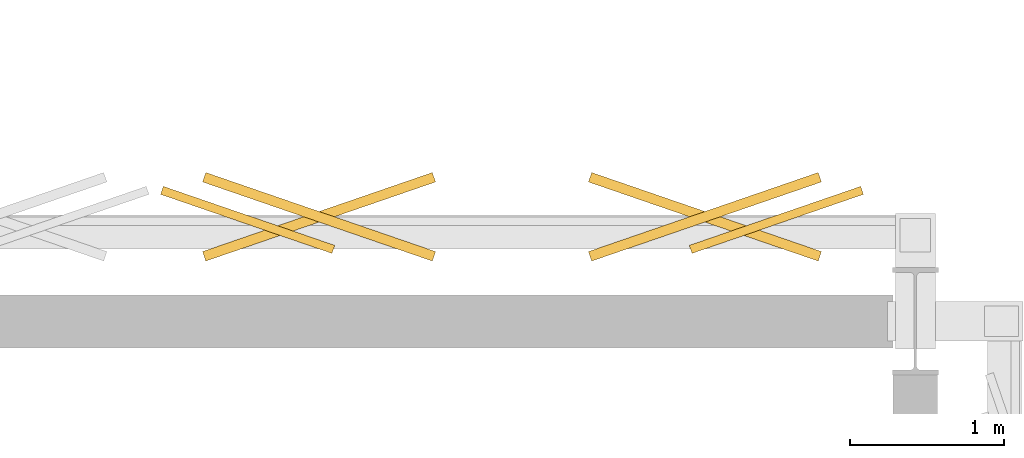
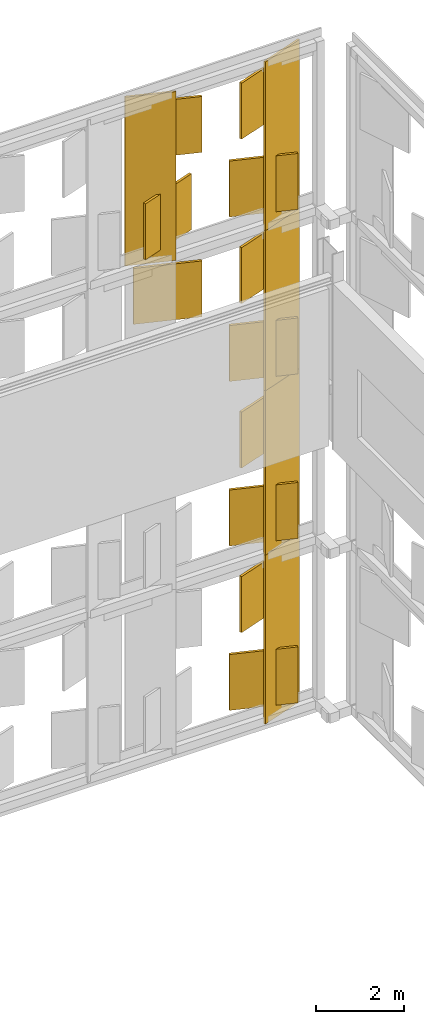
# One storey, part 239 of 239: 16 coverings.
"""IFC4 building model written with IfcOpenShell, lengths in metres."""

from ifc_helpers import new_model, si_unit, direction, frame, origin, origin_2d, place, context, subcontext, project, spatial, rectangle, extrude, material, layer, layer_set, type_object, element, save


model = new_model("IFC4")

# Units and contexts
model_context = context("Model", 3, precision=1e-05, world=origin(), true_north=direction((0.0, 1.0)))
body_context = subcontext(model_context, "Body", "Model", "MODEL_VIEW")
ifc_project = project(units=[si_unit("LENGTHUNIT", "METRE"), si_unit("AREAUNIT", "SQUARE_METRE"), si_unit("VOLUMEUNIT", "CUBIC_METRE"), si_unit("PLANEANGLEUNIT", "RADIAN"), si_unit("MASSUNIT", "GRAM", prefix="KILO")], contexts=[model_context])

# Site, building, storey
site_placement = place(None, origin())
site = spatial("IfcSite", under=ifc_project, at=site_placement, CompositionType="ELEMENT")
building_placement = place(site_placement, origin())
building = spatial("IfcBuilding", under=site, at=building_placement, Name="Kaldris Quays Convention Centre", CompositionType="ELEMENT")
storey_placement = place(building_placement, frame((0.0, 0.0, 11.39990234375)))
storey = spatial("IfcBuildingStorey", under=building, at=storey_placement, Name="L02", CompositionType="ELEMENT", Elevation=11.39990234375)

# Coverings
ifc_material = material(Name="Alabaster white star-pierced anodized aluminium panel", Category="aluminium")
ifc_layer = layer(ifc_material, 0.044921875)
ifc_layer_set = layer_set([ifc_layer], Name="Alabaster white star-pierced anodized aluminium panel")
covering_type = type_object("IfcCoveringType", Name="STAR PIERCED WHITE FOLDED SCREEN CL01", PredefinedType="CLADDING", material=ifc_layer_set)
covering_1_placement = place(storey_placement, frame((203.095458984375, 104.659912109375, -7.60986328125), z_axis=(0.0, 0.0, 1.0), x_axis=(0.945518575599, 0.325568154457, 0.0)))
element("IfcCovering", 1, at=covering_1_placement, inside=storey, type_object=covering_type, Name="V2N Folded White Screen Stile 2691", PredefinedType="CLADDING", context=body_context, shape_type="SweptSolid", body=[
    extrude(rectangle(XDim=1.179931640625, YDim=0.054931640625, at=origin_2d()), origin(), (0.0, 0.0, 1.0), 4.669921875),
])
for number, where, z_axis, x_axis, name in (
    (2, (202.630615234375, 104.679931640625, -7.27685546875), (0.0, 0.0, 1.0), (0.945518575599, -0.325568154457, 0.0), "V2N Carved Star Corner Facet 2694"),
    (3, (202.630615234375, 104.679931640625, -4.81982421875), (0.0, 0.0, 1.0), (0.945518575599, 0.325568154457, 0.0), "V2N Carved Star Corner Facet 2695"),
):
    element("IfcCovering", number, at=place(storey_placement, frame(where, z_axis=z_axis, x_axis=x_axis)), inside=storey, type_object=covering_type, Name=name, PredefinedType="CLADDING", context=body_context, shape_type="SweptSolid", body=[
        extrude(rectangle(XDim=1.5810546875, YDim=0.06494140625, at=origin_2d()), origin(), (0.0, 0.0, 1.0), 1.547119140625),
    ])
covering_2_placement = place(storey_placement, frame((203.095458984375, 104.659912109375, -3.059814453125), z_axis=(0.0, 0.0, 1.0), x_axis=(0.945518575599, 0.325568154457, 0.0)))
element("IfcCovering", 4, at=covering_2_placement, inside=storey, type_object=covering_type, Name="V2N Folded White Screen Stile 2697", PredefinedType="CLADDING", context=body_context, shape_type="SweptSolid", body=[
    extrude(rectangle(XDim=1.179931640625, YDim=0.054931640625, at=origin_2d()), origin(), (0.0, 0.0, 1.0), 4.669921875),
])
for number, where, z_axis, x_axis, name in (
    (5, (202.630615234375, 104.679931640625, -2.72705078125), (0.0, 0.0, 1.0), (0.945518575599, -0.325568154457, 0.0), "V2N Carved Star Corner Facet 2700"),
    (6, (202.630615234375, 104.679931640625, -0.27001953125), (0.0, 0.0, 1.0), (0.945518575599, 0.325568154457, 0.0), "V2N Carved Star Corner Facet 2701"),
):
    element("IfcCovering", number, at=place(storey_placement, frame(where, z_axis=z_axis, x_axis=x_axis)), inside=storey, type_object=covering_type, Name=name, PredefinedType="CLADDING", context=body_context, shape_type="SweptSolid", body=[
        extrude(rectangle(XDim=1.5810546875, YDim=0.06494140625, at=origin_2d()), origin(), (0.0, 0.0, 1.0), 1.547119140625),
    ])
covering_3_placement = place(storey_placement, frame((203.095458984375, 104.659912109375, 1.490234375), z_axis=(0.0, 0.0, 1.0), x_axis=(0.945518575599, 0.325568154457, 0.0)))
element("IfcCovering", 7, at=covering_3_placement, inside=storey, type_object=covering_type, Name="V2N Folded White Screen Stile 2703", PredefinedType="CLADDING", context=body_context, shape_type="SweptSolid", body=[
    extrude(rectangle(XDim=1.179931640625, YDim=0.054931640625, at=origin_2d()), origin(), (0.0, 0.0, 1.0), 4.669921875),
])
for number, where, z_axis, x_axis, name in (
    (8, (200.119384765625, 104.679931640625, 4.2802734375), (0.0, 0.0, 1.0), (0.945518575599, -0.325568154457, 0.0), "V2N Carved Star Corner Facet 2705"),
    (9, (202.630615234375, 104.679931640625, 1.8232421875), (0.0, 0.0, 1.0), (0.945518575599, -0.325568154457, 0.0), "V2N Carved Star Corner Facet 2706"),
    (10, (202.630615234375, 104.679931640625, 4.2802734375), (0.0, 0.0, 1.0), (0.945518575599, 0.325568154457, 0.0), "V2N Carved Star Corner Facet 2707"),
):
    element("IfcCovering", number, at=place(storey_placement, frame(where, z_axis=z_axis, x_axis=x_axis)), inside=storey, type_object=covering_type, Name=name, PredefinedType="CLADDING", context=body_context, shape_type="SweptSolid", body=[
        extrude(rectangle(XDim=1.5810546875, YDim=0.06494140625, at=origin_2d()), origin(), (0.0, 0.0, 1.0), 1.547119140625),
    ])
for number, where, z_axis, x_axis, name in (
    (11, (199.654541015625, 104.659912109375, 6.0400390625), (0.0, 0.0, 1.0), (0.945518575599, -0.325568154457, 0.0), "V2N Folded White Screen Stile 2708"),
    (12, (203.095458984375, 104.659912109375, 6.0400390625), (0.0, 0.0, 1.0), (0.945518575599, 0.325568154457, 0.0), "V2N Folded White Screen Stile 2709"),
):
    element("IfcCovering", number, at=place(storey_placement, frame(where, z_axis=z_axis, x_axis=x_axis)), inside=storey, type_object=covering_type, Name=name, PredefinedType="CLADDING", context=body_context, shape_type="SweptSolid", body=[
        extrude(rectangle(XDim=1.179931640625, YDim=0.054931640625, at=origin_2d()), origin(), (0.0, 0.0, 1.0), 4.669921875),
    ])
for number, where, z_axis, x_axis, name in (
    (13, (200.119384765625, 104.679931640625, 6.373046875), (0.0, 0.0, 1.0), (0.945518575599, 0.325568154457, 0.0), "V2N Carved Star Corner Facet 2710"),
    (14, (200.119384765625, 104.679931640625, 8.830078125), (0.0, 0.0, 1.0), (0.945518575599, -0.325568154457, 0.0), "V2N Carved Star Corner Facet 2711"),
    (15, (202.630615234375, 104.679931640625, 6.373046875), (0.0, 0.0, 1.0), (0.945518575599, -0.325568154457, 0.0), "V2N Carved Star Corner Facet 2712"),
    (16, (202.630615234375, 104.679931640625, 8.830078125), (0.0, 0.0, 1.0), (0.945518575599, 0.325568154457, 0.0), "V2N Carved Star Corner Facet 2713"),
):
    element("IfcCovering", number, at=place(storey_placement, frame(where, z_axis=z_axis, x_axis=x_axis)), inside=storey, type_object=covering_type, Name=name, PredefinedType="CLADDING", context=body_context, shape_type="SweptSolid", body=[
        extrude(rectangle(XDim=1.5810546875, YDim=0.06494140625, at=origin_2d()), origin(), (0.0, 0.0, 1.0), 1.547119140625),
    ])

save(model, "model.ifc")
